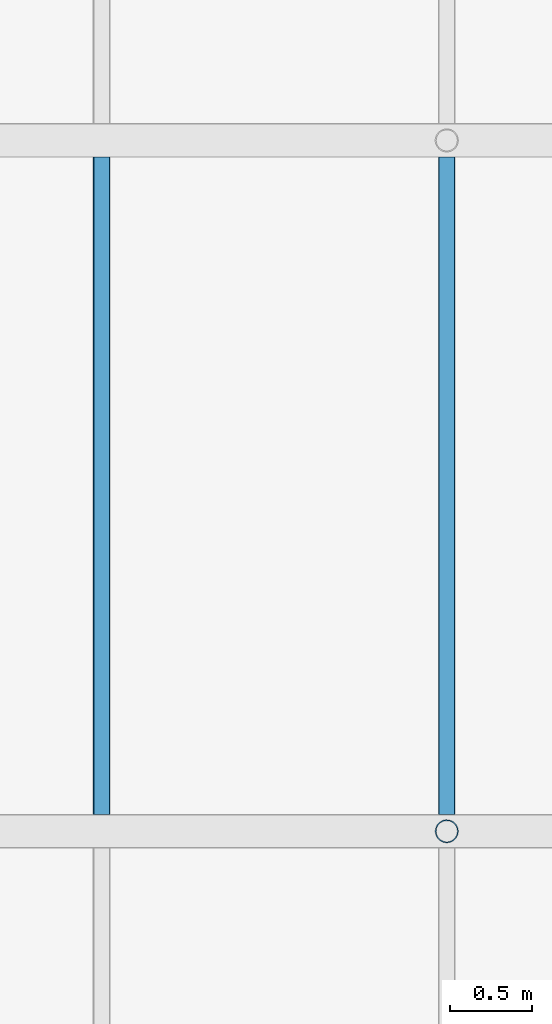
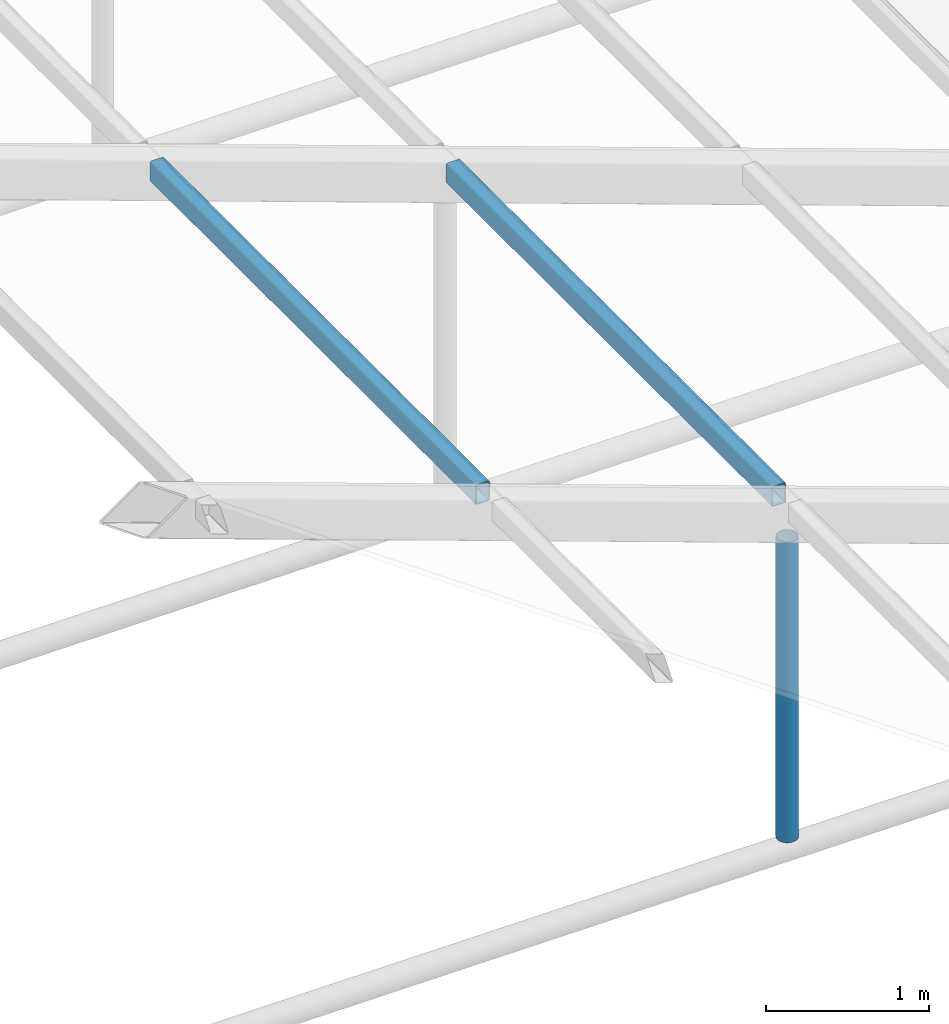
# One storey, part 59 of 116: 3 members.
"""IFC4 building model written with IfcOpenShell, lengths in metres."""

from ifc_helpers import new_model, si_unit, direction, frame, origin, origin_2d, place, context, subcontext, project, spatial, hollow_rectangle, hollow_circle, extrude, material, material_profile, profile_set, type_object, element, save


model = new_model("IFC4")

# Units and contexts
model_context = context("Model", 3, precision=1e-05, world=origin(), true_north=direction((0.0, 1.0)))
body_context = subcontext(model_context, "Body", "Model", "MODEL_VIEW")
ifc_project = project(units=[si_unit("LENGTHUNIT", "METRE"), si_unit("AREAUNIT", "SQUARE_METRE"), si_unit("VOLUMEUNIT", "CUBIC_METRE"), si_unit("PLANEANGLEUNIT", "RADIAN"), si_unit("MASSUNIT", "GRAM", prefix="KILO")], contexts=[model_context])

# Site, building, storey
site_placement = place(None, origin())
site = spatial("IfcSite", under=ifc_project, at=site_placement, CompositionType="ELEMENT")
building_placement = place(site_placement, origin())
building = spatial("IfcBuilding", under=site, at=building_placement, Name="Fescue Hill Polytechnic", CompositionType="ELEMENT")
storey_placement = place(building_placement, frame((0.0, 0.0, 13.5)))
storey = spatial("IfcBuildingStorey", under=building, at=storey_placement, Name="L03", CompositionType="ELEMENT", Elevation=13.5)

# Members
ifc_material = material(Name="Steel 350W (350 MPa)", Category="steel")
ifc_material_profile_1 = material_profile(ifc_material, hollow_rectangle(XDim=0.1015625, YDim=0.15234375, WallThickness=0.00634765625, InnerFilletRadius=0.00634765625, OuterFilletRadius=0.0126953125, at=origin_2d()), Name="Winter garden glazing purlin HSS 152x102x6.4")
ifc_profile_set_1 = profile_set([ifc_material_profile_1], Name="Steel 350W (350 MPa)")
member_type_1 = type_object("IfcMemberType", Name="Winter garden glazing purlin HSS 152x102x6.4", PredefinedType="PURLIN", material=ifc_profile_set_1)
for number, where, z_axis, x_axis, name in (
    (1, (111.30029296875, 88.301513671875, 2.914306640625), (0.0, 1.0, 0.0), (-1.0, 0.0, 0.0), "Winter garden glazing purlin E3 bay 10"),
    (2, (109.200439453125, 88.301513671875, 3.664306640625), (0.0, 1.0, 0.0), (-1.0, 0.0, 0.0), "Winter garden glazing purlin E4 bay 10"),
):
    element("IfcMember", number, at=place(storey_placement, frame(where, z_axis=z_axis, x_axis=x_axis)), inside=storey, type_object=member_type_1, Name=name, PredefinedType="PURLIN", context=body_context, shape_type="SweptSolid", body=[
        extrude(hollow_rectangle(XDim=0.1015625, YDim=0.15234375, WallThickness=0.00634765625, InnerFilletRadius=0.00634765625, OuterFilletRadius=0.0126953125, at=origin_2d()), origin(), (0.0, 0.0, 1.0), 3.996826171875),
    ])
ifc_material_profile_2 = material_profile(ifc_material, hollow_circle(Radius=0.070556640625, WallThickness=0.00634765625, at=origin_2d()), Name="Winter garden queen post CHS 141x6.4")
ifc_profile_set_2 = profile_set([ifc_material_profile_2], Name="Steel 350W (350 MPa)")
member_type_2 = type_object("IfcMemberType", Name="Winter garden queen post CHS 141x6.4", PredefinedType="POST", material=ifc_profile_set_2)
member_placement = place(storey_placement, frame((111.300048828125, 88.199951171875, 0.4169921875), z_axis=(0.0, 0.0, 1.0), x_axis=(1.0, 0.0, 0.0)))
element("IfcMember", 3, at=member_placement, inside=storey, type_object=member_type_2, Name="Winter garden queen post 10B", PredefinedType="POST", context=body_context, shape_type="SweptSolid", body=[
    extrude(hollow_circle(Radius=0.070556640625, WallThickness=0.00634765625, at=origin_2d()), origin(), (0.0, 0.0, 1.0), 2.25),
])

save(model, "model.ifc")
